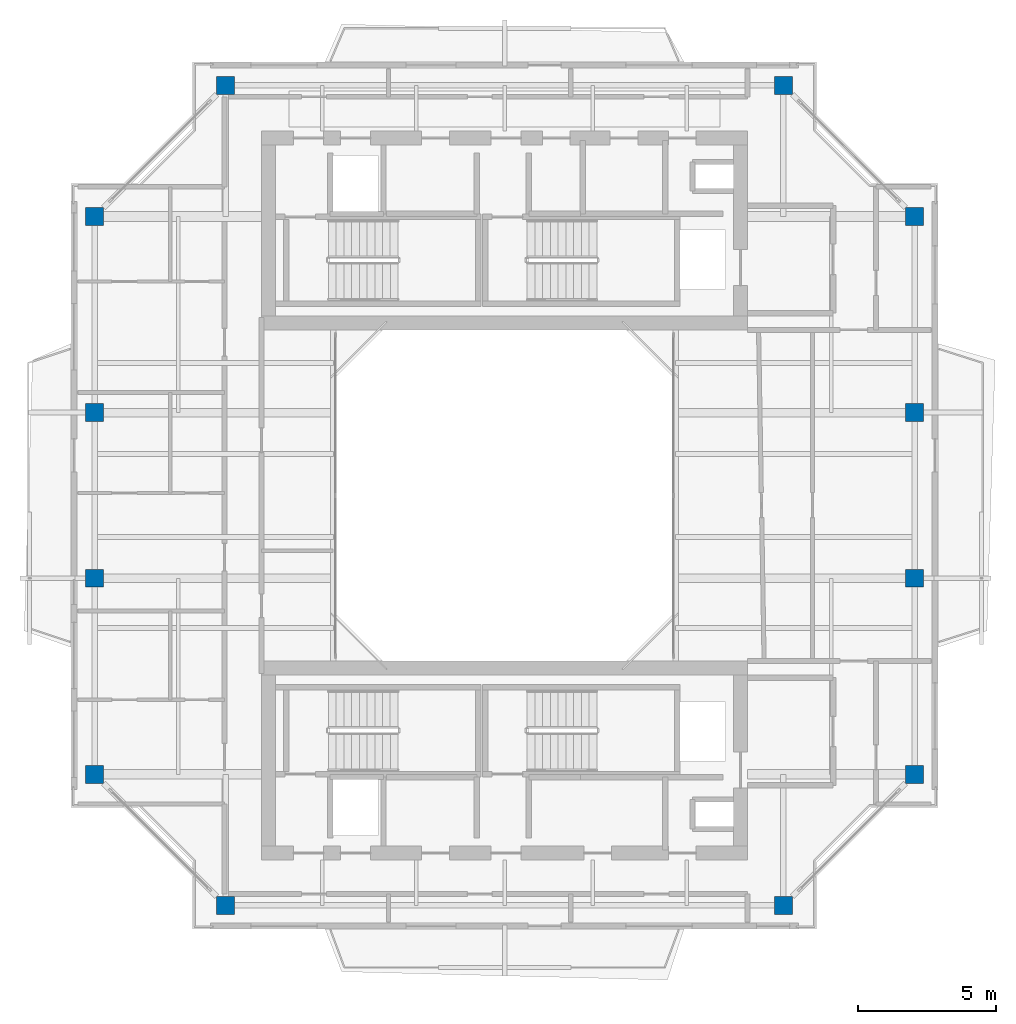
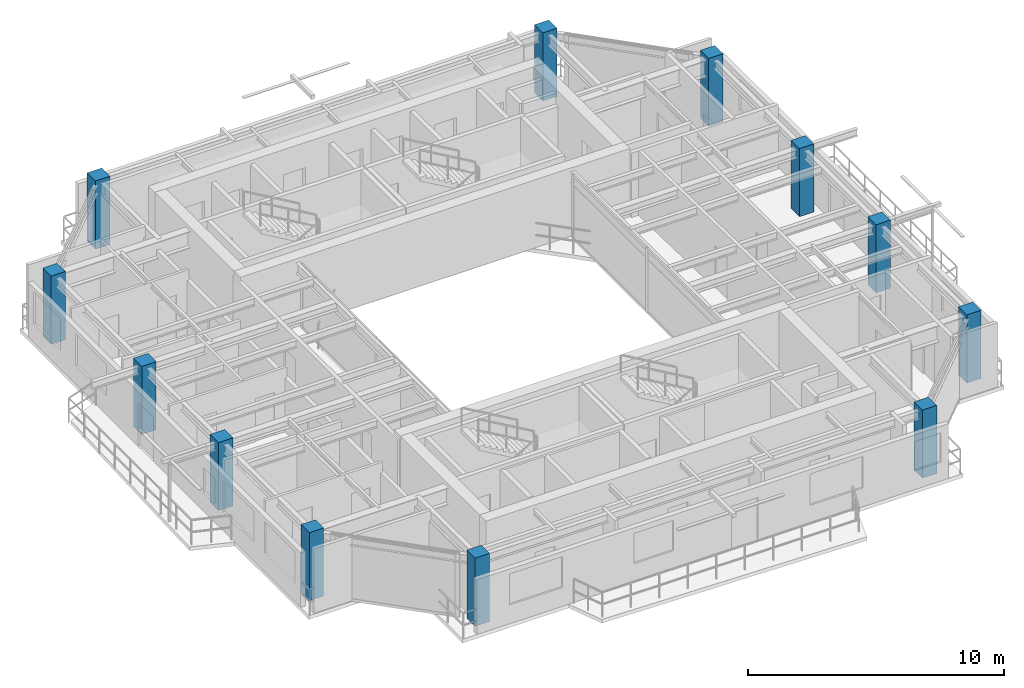
# One storey, part 1 of 15: 12 columns.
"""IFC4 building model written with IfcOpenShell, lengths in metres."""

from ifc_helpers import new_model, si_unit, direction, frame, origin, origin_2d, place, context, subcontext, project, spatial, rectangle, extrude, source, transform, mapped, material, material_profile, profile_set, type_object, element, save


model = new_model("IFC4")

# Units and contexts
model_context = context("Model", 3, precision=1e-05, world=origin(), true_north=direction((0.0, 1.0)))
body_context = subcontext(model_context, "Body", "Model", "MODEL_VIEW")
ifc_project = project(units=[si_unit("LENGTHUNIT", "METRE"), si_unit("AREAUNIT", "SQUARE_METRE"), si_unit("VOLUMEUNIT", "CUBIC_METRE"), si_unit("PLANEANGLEUNIT", "RADIAN"), si_unit("MASSUNIT", "GRAM", prefix="KILO"), si_unit("THERMODYNAMICTEMPERATUREUNIT", "KELVIN"), si_unit("POWERUNIT", "WATT")], contexts=[model_context])

# Site, building, storey
site_placement = place(None, origin())
site = spatial("IfcSite", under=ifc_project, at=site_placement, CompositionType="ELEMENT")
building_placement = place(site_placement, origin())
building = spatial("IfcBuilding", under=site, at=building_placement, Name="Qiaomeng Ring Towers", CompositionType="ELEMENT")
storey_placement = place(building_placement, frame((0.0, 0.0, 256.75)))
storey = spatial("IfcBuildingStorey", under=building, at=storey_placement, Name="L75", CompositionType="ELEMENT", Elevation=256.75)

# Columns
ifc_material = material(Name="Concrete C40", Category="concrete")
ifc_material_profile = material_profile(ifc_material, rectangle(XDim=0.64990234375, YDim=0.64990234375, at=origin_2d()), Name="RC COL 650x650")
ifc_profile_set = profile_set([ifc_material_profile], Name="Concrete C40")
column_type = type_object("IfcColumnType", Name="STR-COL-650-C40", PredefinedType="COLUMN", material=ifc_profile_set)
shared_shape = source(origin(), body_context, "Body", "SweptSolid", [
    extrude(rectangle(XDim=0.64990234375, YDim=0.64990234375, at=origin_2d()), origin(), (0.0, 0.0, 1.0), 3.25),
])
for number, where, z_axis, x_axis, name in (
    (1, (8.89990234375, 8.14990234375, 0.0), (0.0, 0.0, 1.0), (1.0, 0.0, 0.0), "L75 column STR-COL-L75-T1-S1"),
    (2, (29.10009765625, 8.14990234375, 0.0), (0.0, 0.0, 1.0), (1.0, 0.0, 0.0), "L75 column STR-COL-L75-T1-S2"),
    (3, (33.85009765625, 12.89990234375, 0.0), (0.0, 0.0, 1.0), (1.0, 0.0, 0.0), "L75 column STR-COL-L75-T1-E1"),
    (4, (33.85009765625, 20.0, 0.0), (0.0, 0.0, 1.0), (1.0, 0.0, 0.0), "L75 column STR-COL-L75-T1-E2"),
    (5, (33.85009765625, 26.0, 0.0), (0.0, 0.0, 1.0), (1.0, 0.0, 0.0), "L75 column STR-COL-L75-T1-E3"),
    (6, (33.85009765625, 33.10009765625, 0.0), (0.0, 0.0, 1.0), (1.0, 0.0, 0.0), "L75 column STR-COL-L75-T1-E4"),
    (7, (29.10009765625, 37.85009765625, 0.0), (0.0, 0.0, 1.0), (1.0, 0.0, 0.0), "L75 column STR-COL-L75-T1-N2"),
    (8, (8.89990234375, 37.85009765625, 0.0), (0.0, 0.0, 1.0), (1.0, 0.0, 0.0), "L75 column STR-COL-L75-T1-N1"),
    (9, (4.14990234375, 33.10009765625, 0.0), (0.0, 0.0, 1.0), (1.0, 0.0, 0.0), "L75 column STR-COL-L75-T1-W4"),
    (10, (4.14990234375, 26.0, 0.0), (0.0, 0.0, 1.0), (1.0, 0.0, 0.0), "L75 column STR-COL-L75-T1-W3"),
    (11, (4.14990234375, 20.0, 0.0), (0.0, 0.0, 1.0), (1.0, 0.0, 0.0), "L75 column STR-COL-L75-T1-W2"),
    (12, (4.14990234375, 12.89990234375, 0.0), (0.0, 0.0, 1.0), (1.0, 0.0, 0.0), "L75 column STR-COL-L75-T1-W1"),
):
    element("IfcColumn", number, at=place(storey_placement, frame(where, z_axis=z_axis, x_axis=x_axis)), inside=storey, type_object=column_type, Name=name, PredefinedType="COLUMN", context=body_context, shape_type="MappedRepresentation", body=[
        mapped(shared_shape, transform((0.0, 0.0, 0.0), x_axis=(1.0, 0.0, 0.0), y_axis=(0.0, 1.0, 0.0), z_axis=(0.0, 0.0, 1.0), scale=1.0)),
    ])

save(model, "model.ifc")
